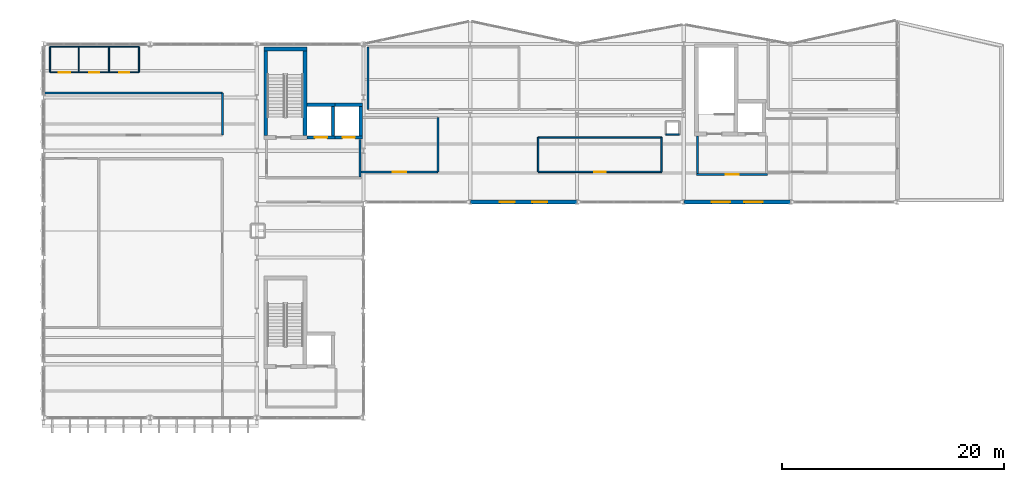
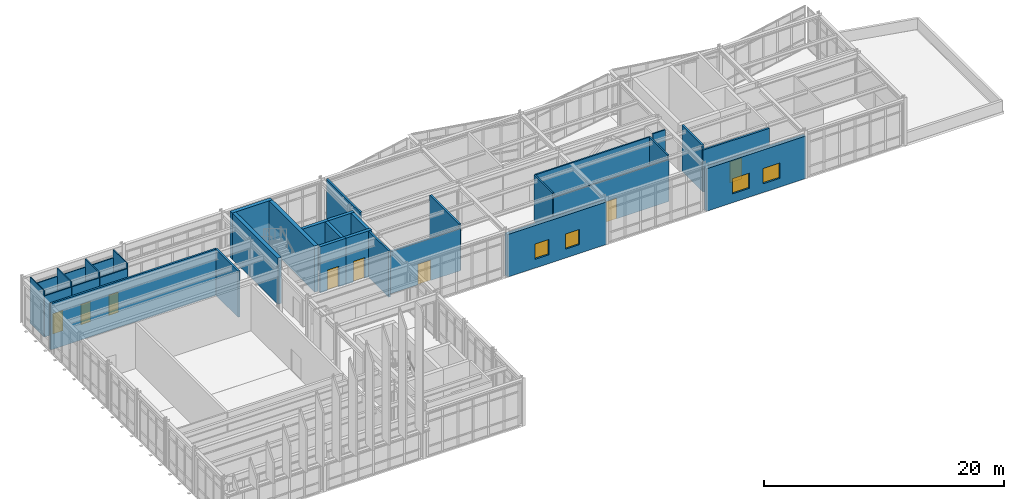
# One storey, part 23 of 28: 34 walls, 8 doors, 4 windows, 12 openings.
"""IFC4 building model written with IfcOpenShell, lengths in metres."""

from ifc_helpers import new_model, si_unit, direction, frame, frame_2d, origin, place, context, subcontext, project, spatial, rectangle, extrude, material, layer, layer_set, type_object, element, fill, save


model = new_model("IFC4")

# Units and contexts
model_context = context("Model", 3, precision=1e-05, world=origin(), true_north=direction((0.0, 1.0)))
body_context = subcontext(model_context, "Body", "Model", "MODEL_VIEW")
ifc_project = project(units=[si_unit("LENGTHUNIT", "METRE"), si_unit("AREAUNIT", "SQUARE_METRE"), si_unit("VOLUMEUNIT", "CUBIC_METRE"), si_unit("PLANEANGLEUNIT", "RADIAN"), si_unit("MASSUNIT", "GRAM", prefix="KILO")], contexts=[model_context])

# Site, building, storey
site_placement = place(None, origin())
site = spatial("IfcSite", under=ifc_project, at=site_placement, CompositionType="ELEMENT")
building_placement = place(site_placement, origin())
building = spatial("IfcBuilding", under=site, at=building_placement, Name="Nordkorset Police Headquarters", CompositionType="ELEMENT")
storey_placement = place(building_placement, frame((0.0, 0.0, 26.25)))
storey = spatial("IfcBuildingStorey", under=building, at=storey_placement, Name="L06", CompositionType="ELEMENT", Elevation=26.25)

# Wall, opening, door
ifc_material_1 = material(Name="Gypsum board", Category="gypsum")
ifc_layer_1 = layer(ifc_material_1, 0.139892578125, Name="Gypsum board")
ifc_layer_set_1 = layer_set([ifc_layer_1], Name="Gypsum board")
wall_type_1 = type_object("IfcWallType", Name="Wall_Acoust_140", PredefinedType="PARTITIONING", material=ifc_layer_set_1)
wall_1_placement = place(storey_placement, frame((44.5, 105.300048828125, 0.0), z_axis=(0.0, 0.0, 1.0), x_axis=(1.0, 0.0, 0.0)))
wall_1 = element("IfcWall", 1, at=wall_1_placement, inside=storey, type_object=wall_type_1, Name="Interior Partition Wall Metropolitan Incident Coordination Office", PredefinedType="PARTITIONING", context=body_context, shape_type="SweptSolid", body=[
    extrude(rectangle(XDim=11.10009765625, YDim=0.139892578125, at=frame_2d((5.550048828125, 0.0))), origin(), (0.0, 0.0, 1.0), 4.284912109375),
])
opening_1_placement = place(wall_1_placement, frame((5.0400390625, 0.0, 0.0)))
opening_1 = element("IfcOpeningElement", 2, at=opening_1_placement, cuts=wall_1, Name="Opening DR-19", PredefinedType="OPENING", context=body_context, shape_type="SweptSolid", body=[
    extrude(rectangle(XDim=1.02001953125, YDim=2.10009765625, at=frame_2d((0.510009765625, 1.050048828125))), frame((0.0, 0.080078125, 0.0), z_axis=(0.0, -1.0, 0.0), x_axis=(1.0, 0.0, 0.0)), (0.0, 0.0, 1.0), 0.159912109375),
])
ifc_material_2 = material(Name="Glulam GL30c", Category="wood")
door_type_1 = type_object("IfcDoorType", Name="Door_Office_1020x2100", OperationType="NOTDEFINED", PredefinedType="DOOR", material=ifc_material_2)
door_1_placement = place(opening_1_placement, origin())
door_1 = element("IfcDoor", 3, at=door_1_placement, inside=storey, type_object=door_type_1, Name="Interior Door Metropolitan Incident Coordination Office", OperationType="SINGLE_SWING_LEFT", OverallHeight=2.10009765625, OverallWidth=1.02001953125, PredefinedType="DOOR", context=body_context, shape_type="SweptSolid", body=[
    extrude(rectangle(XDim=1.02001953125, YDim=2.10009765625, at=frame_2d((0.510009765625, 1.050048828125))), frame((0.0, 0.02490234375, 0.0), z_axis=(0.0, -1.0, 0.0), x_axis=(1.0, 0.0, 0.0)), (0.0, 0.0, 1.0), 0.050048828125),
])
fill(opening_1, door_1)

# Walls
wall_2_placement = place(storey_placement, frame((55.60009765625, 105.300048828125, 0.0), z_axis=(0.0, 0.0, 1.0), x_axis=(0.0, 1.0, 0.0)))
element("IfcWall", 4, at=wall_2_placement, inside=storey, type_object=wall_type_1, Name="Interior Partition Wall Metropolitan Incident Coordination Office", PredefinedType="PARTITIONING", context=body_context, shape_type="SweptSolid", body=[
    extrude(rectangle(XDim=3.099853515625, YDim=0.139892578125, at=frame_2d((1.5498046875, 0.0))), origin(), (0.0, 0.0, 1.0), 4.7099609375),
])
wall_3_placement = place(storey_placement, frame((55.60009765625, 108.39990234375, 0.0), z_axis=(0.0, 0.0, 1.0), x_axis=(-1.0, 0.0, 0.0)))
element("IfcWall", 5, at=wall_3_placement, inside=storey, type_object=wall_type_1, Name="Interior Partition Wall Metropolitan Incident Coordination Office", PredefinedType="PARTITIONING", context=body_context, shape_type="SweptSolid", body=[
    extrude(rectangle(XDim=11.10009765625, YDim=0.139892578125, at=frame_2d((5.550048828125, 0.0))), origin(), (0.0, 0.0, 1.0), 4.7099609375),
])
wall_4_placement = place(storey_placement, frame((44.5, 108.39990234375, 0.0), z_axis=(0.0, 0.0, 1.0), x_axis=(0.0, -1.0, 0.0)))
element("IfcWall", 6, at=wall_4_placement, inside=storey, type_object=wall_type_1, Name="Interior Partition Wall Metropolitan Incident Coordination Office", PredefinedType="PARTITIONING", context=body_context, shape_type="SweptSolid", body=[
    extrude(rectangle(XDim=3.099853515625, YDim=0.139892578125, at=frame_2d((1.5498046875, 0.0))), origin(), (0.0, 0.0, 1.0), 4.7099609375),
])
ifc_material_3 = material(Name="Gypsum board", Category="gypsum")
ifc_layer_2 = layer(ifc_material_3, 0.179931640625, Name="Gypsum board")
ifc_layer_set_2 = layer_set([ifc_layer_2], Name="Gypsum board")
wall_type_2 = type_object("IfcWallType", Name="Wall_Comp_180", PredefinedType="PARTITIONING", material=ifc_layer_set_2)
wall_5_placement = place(storey_placement, frame((28.4599609375, 104.85009765625, 0.0), z_axis=(0.0, 0.0, 1.0), x_axis=(0.0, 1.0, 0.0)))
element("IfcWall", 7, at=wall_5_placement, inside=storey, type_object=wall_type_2, Name="Firefighting Lobby EI 60 Wall K1 L06 E", PredefinedType="PARTITIONING", context=body_context, shape_type="SweptSolid", body=[
    extrude(rectangle(XDim=3.375, YDim=0.179931640625, at=frame_2d((1.6875, 0.0))), origin(), (0.0, 0.0, 1.0), 4.7099609375),
])

# Wall, opening, door
wall_6_placement = place(storey_placement, frame((58.75, 105.06005859375, 0.0), z_axis=(0.0, 0.0, 1.0), x_axis=(1.0, 0.0, 0.0)))
wall_6 = element("IfcWall", 8, at=wall_6_placement, inside=storey, type_object=wall_type_2, Name="Firefighting Lobby EI 60 Wall K2 L06 S", PredefinedType="PARTITIONING", context=body_context, shape_type="SweptSolid", body=[
    extrude(rectangle(XDim=6.39990234375, YDim=0.179931640625, at=frame_2d((3.199951171875, 0.0))), origin(), (0.0, 0.0, 1.0), 4.284912109375),
])
opening_2_placement = place(wall_6_placement, frame((2.625, 0.0, 0.0)))
opening_2 = element("IfcOpeningElement", 9, at=opening_2_placement, cuts=wall_6, Name="Opening DR-01", PredefinedType="OPENING", context=body_context, shape_type="SweptSolid", body=[
    extrude(rectangle(XDim=1.14990234375, YDim=2.14990234375, at=frame_2d((0.574951171875, 1.074951171875))), frame((0.0, 0.10009765625, 0.0), z_axis=(0.0, -1.0, 0.0), x_axis=(1.0, 0.0, 0.0)), (0.0, 0.0, 1.0), 0.199951171875),
])
ifc_material_4 = material(Name="Steel S355J2", Category="steel")
door_type_2 = type_object("IfcDoorType", Name="Door_LobbySingle_1150x2150", OperationType="NOTDEFINED", PredefinedType="DOOR", material=ifc_material_4)
door_2_placement = place(opening_2_placement, frame((1.14990234375, 0.0, 0.0), z_axis=(0.0, 0.0, 1.0), x_axis=(-1.0, 0.0, 0.0)))
door_2 = element("IfcDoor", 10, at=door_2_placement, inside=storey, type_object=door_type_2, Name="Firefighting Lobby Smoke Door K2 L06 S", OperationType="SINGLE_SWING_LEFT", OverallHeight=2.14990234375, OverallWidth=1.14990234375, PredefinedType="DOOR", context=body_context, shape_type="SweptSolid", body=[
    extrude(rectangle(XDim=1.14990234375, YDim=2.14990234375, at=frame_2d((0.574951171875, 1.074951171875))), frame((0.0, 0.02490234375, 0.0), z_axis=(0.0, -1.0, 0.0), x_axis=(1.0, 0.0, 0.0)), (0.0, 0.0, 1.0), 0.050048828125),
])
fill(opening_2, door_2)

# Walls
wall_7_placement = place(storey_placement, frame((58.840087890625, 105.14990234375, 0.0), z_axis=(0.0, 0.0, 1.0), x_axis=(0.0, 1.0, 0.0)))
element("IfcWall", 11, at=wall_7_placement, inside=storey, type_object=wall_type_2, Name="Firefighting Lobby EI 60 Wall K2 L06 W", PredefinedType="PARTITIONING", context=body_context, shape_type="SweptSolid", body=[
    extrude(rectangle(XDim=3.375, YDim=0.179931640625, at=frame_2d((1.6875, 0.0))), origin(), (0.0, 0.0, 1.0), 4.7099609375),
])
wall_8_placement = place(storey_placement, frame((16.10009765625, 108.60009765625, 0.0), z_axis=(0.0, 0.0, 1.0), x_axis=(0.0, 1.0, 0.0)))
element("IfcWall", 12, at=wall_8_placement, inside=storey, type_object=wall_type_2, Name="Interior Partition Wall Command Supervisors Suite", PredefinedType="PARTITIONING", context=body_context, shape_type="SweptSolid", body=[
    extrude(rectangle(XDim=3.7998046875, YDim=0.179931640625, at=frame_2d((1.89990234375, 0.0))), origin(), (0.0, 0.0, 1.0), 4.7099609375),
])
wall_9_placement = place(storey_placement, frame((16.10009765625, 112.39990234375, 0.0), z_axis=(0.0, 0.0, 1.0), x_axis=(-1.0, 0.0, 0.0)))
element("IfcWall", 13, at=wall_9_placement, inside=storey, type_object=wall_type_2, Name="Interior Partition Wall Command Supervisors Suite", PredefinedType="PARTITIONING", context=body_context, shape_type="SweptSolid", body=[
    extrude(rectangle(XDim=16.01513671875, YDim=0.179931640625, at=frame_2d((8.007568359375, 0.0))), origin(), (0.0, 0.0, 1.0), 4.7099609375),
])
wall_10_placement = place(storey_placement, frame((29.199951171875, 116.550048828125, 0.0), z_axis=(0.0, 0.0, 1.0), x_axis=(0.0, -1.0, 0.0)))
element("IfcWall", 14, at=wall_10_placement, inside=storey, type_object=wall_type_2, Name="Interior Partition Wall Emergency 112 Call Dispatch Hall", PredefinedType="PARTITIONING", context=body_context, shape_type="SweptSolid", body=[
    extrude(rectangle(XDim=5.650146484375, YDim=0.179931640625, at=frame_2d((2.8251953125, 0.0))), origin(), (0.0, 0.0, 1.0), 4.7099609375),
])

# Wall, opening, door
wall_11_placement = place(storey_placement, frame((28.544921875, 105.300048828125, 0.0), z_axis=(0.0, 0.0, 1.0), x_axis=(1.0, 0.0, 0.0)))
wall_11 = element("IfcWall", 15, at=wall_11_placement, inside=storey, type_object=wall_type_2, Name="Interior Partition Wall Fire and Ambulance Joint Liaison Suite", PredefinedType="PARTITIONING", context=body_context, shape_type="SweptSolid", body=[
    extrude(rectangle(XDim=6.955078125, YDim=0.179931640625, at=frame_2d((3.4775390625, 0.0))), origin(), (0.0, 0.0, 1.0), 4.284912109375),
])
opening_3_placement = place(wall_11_placement, frame((2.867431640625, 0.0, 0.0)))
opening_3 = element("IfcOpeningElement", 16, at=opening_3_placement, cuts=wall_11, Name="Opening DR-13", PredefinedType="OPENING", context=body_context, shape_type="SweptSolid", body=[
    extrude(rectangle(XDim=1.219970703125, YDim=2.10009765625, at=frame_2d((0.60986328125, 1.050048828125))), frame((0.0, 0.10009765625, 0.0), z_axis=(0.0, -1.0, 0.0), x_axis=(1.0, 0.0, 0.0)), (0.0, 0.0, 1.0), 0.199951171875),
])
ifc_material_5 = material(Name="Steel S355J2", Category="steel")
door_type_3 = type_object("IfcDoorType", Name="Door_FireComp_1220x2100", OperationType="NOTDEFINED", PredefinedType="DOOR", material=ifc_material_5)
door_3_placement = place(opening_3_placement, origin())
door_3 = element("IfcDoor", 17, at=door_3_placement, inside=storey, type_object=door_type_3, Name="Interior Door Fire and Ambulance Joint Liaison Suite", OperationType="SINGLE_SWING_LEFT", OverallHeight=2.10009765625, OverallWidth=1.219970703125, PredefinedType="DOOR", context=body_context, shape_type="SweptSolid", body=[
    extrude(rectangle(XDim=1.219970703125, YDim=2.10009765625, at=frame_2d((0.60986328125, 1.050048828125))), frame((0.0, 0.02490234375, 0.0), z_axis=(0.0, -1.0, 0.0), x_axis=(1.0, 0.0, 0.0)), (0.0, 0.0, 1.0), 0.050048828125),
])
fill(opening_3, door_3)

# Walls
wall_12_placement = place(storey_placement, frame((35.5, 105.300048828125, 0.0), z_axis=(0.0, 0.0, 1.0), x_axis=(0.0, 1.0, 0.0)))
element("IfcWall", 18, at=wall_12_placement, inside=storey, type_object=wall_type_2, Name="Interior Partition Wall Fire and Ambulance Joint Liaison Suite", PredefinedType="PARTITIONING", context=body_context, shape_type="SweptSolid", body=[
    extrude(rectangle(XDim=4.89990234375, YDim=0.179931640625, at=frame_2d((2.449951171875, 0.0))), origin(), (0.0, 0.0, 1.0), 4.7099609375),
])
ifc_material_6 = material(Name="Concrete C35/45", Category="concrete")
ifc_layer_3 = layer(ifc_material_6, 0.35009765625, Name="Concrete C35/45")
ifc_layer_set_3 = layer_set([ifc_layer_3], Name="Concrete C35/45")
wall_type_3 = type_object("IfcWallType", Name="Wall_CoreShear_350", PredefinedType="SHEAR", material=ifc_layer_set_3)
wall_13_placement = place(storey_placement, frame((19.824951171875, 116.35009765625, 0.0), z_axis=(0.0, 0.0, 1.0), x_axis=(1.0, 0.0, 0.0)))
element("IfcWall", 19, at=wall_13_placement, inside=storey, type_object=wall_type_3, Name="Core K1 Stair Shaft North Shear Wall L06", PredefinedType="SHEAR", context=body_context, shape_type="SweptSolid", body=[
    extrude(rectangle(XDim=3.900146484375, YDim=0.35009765625, at=frame_2d((1.9501953125, 0.0))), origin(), (0.0, 0.0, 1.0), 4.7099609375),
])
for number, where, z_axis, x_axis, name in (
    (20, (20.0, 108.574951171875, 0.0), (0.0, 0.0, 1.0), (0.0, 1.0, 0.0), "Core K1 Stair Shaft West Shear Wall L06"),
    (21, (23.550048828125, 108.574951171875, 0.0), (0.0, 0.0, 1.0), (0.0, 1.0, 0.0), "Core K1 Stair Shaft East Shear Wall L06"),
):
    element("IfcWall", number, at=place(storey_placement, frame(where, z_axis=z_axis, x_axis=x_axis)), inside=storey, type_object=wall_type_3, Name=name, PredefinedType="SHEAR", context=body_context, shape_type="SweptSolid", body=[
        extrude(rectangle(XDim=7.60009765625, YDim=0.35009765625, at=frame_2d((3.800048828125, 0.0))), origin(), (0.0, 0.0, 1.0), 4.7099609375),
    ])

# Wall, openings, windows
ifc_material_7 = material(Name="Precast concrete C40/50", Category="concrete")
ifc_layer_4 = layer(ifc_material_7, 0.360107421875, Name="Precast concrete C40/50")
ifc_layer_set_4 = layer_set([ifc_layer_4], Name="Precast concrete C40/50")
wall_type_4 = type_object("IfcWallType", Name="Wall_ExtPrecast_360", PredefinedType="SOLIDWALL", material=ifc_layer_set_4)
wall_14_placement = place(storey_placement, frame((38.40869140625, 102.60009765625, 0.0), z_axis=(0.0, 0.0, 1.0), x_axis=(1.0, 0.0, 0.0)))
wall_14 = element("IfcWall", 22, at=wall_14_placement, inside=storey, type_object=wall_type_4, Name="Exterior Insulated Precast Wall L06 V2S-1", PredefinedType="SOLIDWALL", context=body_context, shape_type="SweptSolid", body=[
    extrude(rectangle(XDim=9.58251953125, YDim=0.360107421875, at=frame_2d((4.791259765625, 0.0))), origin(), (0.0, 0.0, 1.0), 4.3349609375),
])
opening_4_placement = place(wall_14_placement, frame((2.649658203125, 0.0, 0.89990234375)))
opening_4 = element("IfcOpeningElement", 23, at=opening_4_placement, cuts=wall_14, Name="Opening WN-22", PredefinedType="OPENING", context=body_context, shape_type="SweptSolid", body=[
    extrude(rectangle(XDim=1.35009765625, YDim=1.550048828125, at=frame_2d((0.675048828125, 0.77490234375))), frame((0.0, 0.18994140625, 0.0), z_axis=(0.0, -1.0, 0.0), x_axis=(1.0, 0.0, 0.0)), (0.0, 0.0, 1.0), 0.380126953125),
])
opening_5_placement = place(wall_14_placement, frame((5.5830078125, 0.0, 0.89990234375)))
opening_5 = element("IfcOpeningElement", 24, at=opening_5_placement, cuts=wall_14, Name="Opening WN-22", PredefinedType="OPENING", context=body_context, shape_type="SweptSolid", body=[
    extrude(rectangle(XDim=1.35009765625, YDim=1.550048828125, at=frame_2d((0.675048828125, 0.77490234375))), frame((0.0, 0.18994140625, 0.0), z_axis=(0.0, -1.0, 0.0), x_axis=(1.0, 0.0, 0.0)), (0.0, 0.0, 1.0), 0.380126953125),
])
ifc_material_8 = material(Name="Low-iron triple glazing", Category="glass")
window_type_1 = type_object("IfcWindowType", Name="Win_1350x1550", PartitioningType="SINGLE_PANEL", PredefinedType="WINDOW", material=ifc_material_8)
window_1_placement = place(opening_4_placement, origin())
window_1 = element("IfcWindow", 25, at=window_1_placement, inside=storey, type_object=window_type_1, Name="Triple-Glazed Exterior Window L06 V2S-1-1", OverallHeight=1.550048828125, OverallWidth=1.35009765625, PartitioningType="SINGLE_PANEL", PredefinedType="WINDOW", context=body_context, shape_type="SweptSolid", body=[
    extrude(rectangle(XDim=1.35009765625, YDim=1.550048828125, at=frame_2d((0.675048828125, 0.77490234375))), frame((0.0, 0.030029296875, 0.0), z_axis=(0.0, -1.0, 0.0), x_axis=(1.0, 0.0, 0.0)), (0.0, 0.0, 1.0), 0.06005859375),
])
fill(opening_4, window_1)
window_2_placement = place(opening_5_placement, origin())
window_2 = element("IfcWindow", 26, at=window_2_placement, inside=storey, type_object=window_type_1, Name="Triple-Glazed Exterior Window L06 V2S-1-2", OverallHeight=1.550048828125, OverallWidth=1.35009765625, PartitioningType="SINGLE_PANEL", PredefinedType="WINDOW", context=body_context, shape_type="SweptSolid", body=[
    extrude(rectangle(XDim=1.35009765625, YDim=1.550048828125, at=frame_2d((0.675048828125, 0.77490234375))), frame((0.0, 0.030029296875, 0.0), z_axis=(0.0, -1.0, 0.0), x_axis=(1.0, 0.0, 0.0)), (0.0, 0.0, 1.0), 0.06005859375),
])
fill(opening_5, window_2)

wall_15_placement = place(storey_placement, frame((57.608642578125, 102.60009765625, 0.0), z_axis=(0.0, 0.0, 1.0), x_axis=(1.0, 0.0, 0.0)))
wall_15 = element("IfcWall", 27, at=wall_15_placement, inside=storey, type_object=wall_type_4, Name="Exterior Insulated Precast Wall L06 V2S-3", PredefinedType="SOLIDWALL", context=body_context, shape_type="SweptSolid", body=[
    extrude(rectangle(XDim=9.58251953125, YDim=0.360107421875, at=frame_2d((4.791259765625, 0.0))), origin(), (0.0, 0.0, 1.0), 4.3349609375),
])
opening_6_placement = place(wall_15_placement, frame((2.49951171875, 0.0, 0.89990234375)))
opening_6 = element("IfcOpeningElement", 28, at=opening_6_placement, cuts=wall_15, Name="Opening WN-43", PredefinedType="OPENING", context=body_context, shape_type="SweptSolid", body=[
    extrude(rectangle(XDim=1.64990234375, YDim=1.550048828125, at=frame_2d((0.824951171875, 0.77490234375))), frame((0.0, 0.18994140625, 0.0), z_axis=(0.0, -1.0, 0.0), x_axis=(1.0, 0.0, 0.0)), (0.0, 0.0, 1.0), 0.380126953125),
])
opening_7_placement = place(wall_15_placement, frame((5.43310546875, 0.0, 0.89990234375)))
opening_7 = element("IfcOpeningElement", 29, at=opening_7_placement, cuts=wall_15, Name="Opening WN-43", PredefinedType="OPENING", context=body_context, shape_type="SweptSolid", body=[
    extrude(rectangle(XDim=1.64990234375, YDim=1.550048828125, at=frame_2d((0.824951171875, 0.77490234375))), frame((0.0, 0.18994140625, 0.0), z_axis=(0.0, -1.0, 0.0), x_axis=(1.0, 0.0, 0.0)), (0.0, 0.0, 1.0), 0.380126953125),
])
ifc_material_9 = material(Name="Low-iron triple glazing", Category="glass")
window_type_2 = type_object("IfcWindowType", Name="Win_1650x1550", PartitioningType="SINGLE_PANEL", PredefinedType="WINDOW", material=ifc_material_9)
window_3_placement = place(opening_6_placement, origin())
window_3 = element("IfcWindow", 30, at=window_3_placement, inside=storey, type_object=window_type_2, Name="Triple-Glazed Exterior Window L06 V2S-3-1", OverallHeight=1.550048828125, OverallWidth=1.64990234375, PartitioningType="SINGLE_PANEL", PredefinedType="WINDOW", context=body_context, shape_type="SweptSolid", body=[
    extrude(rectangle(XDim=1.64990234375, YDim=1.550048828125, at=frame_2d((0.824951171875, 0.77490234375))), frame((0.0, 0.030029296875, 0.0), z_axis=(0.0, -1.0, 0.0), x_axis=(1.0, 0.0, 0.0)), (0.0, 0.0, 1.0), 0.06005859375),
])
fill(opening_6, window_3)
window_4_placement = place(opening_7_placement, origin())
window_4 = element("IfcWindow", 31, at=window_4_placement, inside=storey, type_object=window_type_2, Name="Triple-Glazed Exterior Window L06 V2S-3-2", OverallHeight=1.550048828125, OverallWidth=1.64990234375, PartitioningType="SINGLE_PANEL", PredefinedType="WINDOW", context=body_context, shape_type="SweptSolid", body=[
    extrude(rectangle(XDim=1.64990234375, YDim=1.550048828125, at=frame_2d((0.824951171875, 0.77490234375))), frame((0.0, 0.030029296875, 0.0), z_axis=(0.0, -1.0, 0.0), x_axis=(1.0, 0.0, 0.0)), (0.0, 0.0, 1.0), 0.06005859375),
])
fill(opening_7, window_4)

# Wall, opening, door
ifc_material_10 = material(Name="Gypsum board", Category="gypsum")
ifc_layer_5 = layer(ifc_material_10, 0.10009765625, Name="Gypsum board")
ifc_layer_set_5 = layer_set([ifc_layer_5], Name="Gypsum board")
wall_type_5 = type_object("IfcWallType", Name="Wall_Part_100", PredefinedType="PARTITIONING", material=ifc_layer_set_5)
wall_16_placement = place(storey_placement, frame((0.60009765625, 114.25, 0.0), z_axis=(0.0, 0.0, 1.0), x_axis=(1.0, 0.0, 0.0)))
wall_16 = element("IfcWall", 32, at=wall_16_placement, inside=storey, type_object=wall_type_5, Name="Interior Partition Wall Accessible WC L06W", PredefinedType="PARTITIONING", context=body_context, shape_type="SweptSolid", body=[
    extrude(rectangle(XDim=2.599853515625, YDim=0.10009765625, at=frame_2d((1.2998046875, 0.0))), origin(), (0.0, 0.0, 1.0), 4.18994140625),
])
opening_8_placement = place(wall_16_placement, frame((0.800048828125, 0.0, 0.0)))
opening_8 = element("IfcOpeningElement", 33, at=opening_8_placement, cuts=wall_16, Name="Opening DR-23", PredefinedType="OPENING", context=body_context, shape_type="SweptSolid", body=[
    extrude(rectangle(XDim=1.0, YDim=2.080078125, at=frame_2d((0.5, 1.0400390625))), frame((0.0, 0.06005859375, 0.0), z_axis=(0.0, -1.0, 0.0), x_axis=(1.0, 0.0, 0.0)), (0.0, 0.0, 1.0), 0.1201171875),
])
ifc_material_11 = material(Name="Glulam GL30c", Category="wood")
door_type_4 = type_object("IfcDoorType", Name="Door_WCAccess_1000x2080", OperationType="NOTDEFINED", PredefinedType="DOOR", material=ifc_material_11)
door_4_placement = place(opening_8_placement, frame((1.0, 0.0, 0.0), z_axis=(0.0, 0.0, 1.0), x_axis=(-1.0, 0.0, 0.0)))
door_4 = element("IfcDoor", 34, at=door_4_placement, inside=storey, type_object=door_type_4, Name="Interior Door Accessible WC L06W", OperationType="SINGLE_SWING_LEFT", OverallHeight=2.080078125, OverallWidth=1.0, PredefinedType="DOOR", context=body_context, shape_type="SweptSolid", body=[
    extrude(rectangle(XDim=1.0, YDim=2.080078125, at=frame_2d((0.5, 1.0400390625))), frame((0.0, 0.02490234375, 0.0), z_axis=(0.0, -1.0, 0.0), x_axis=(1.0, 0.0, 0.0)), (0.0, 0.0, 1.0), 0.050048828125),
])
fill(opening_8, door_4)

# Walls
wall_17_placement = place(storey_placement, frame((3.199951171875, 114.25, 0.0), z_axis=(0.0, 0.0, 1.0), x_axis=(0.0, 1.0, 0.0)))
element("IfcWall", 35, at=wall_17_placement, inside=storey, type_object=wall_type_5, Name="Interior Partition Wall Accessible WC L06W", PredefinedType="PARTITIONING", context=body_context, shape_type="SweptSolid", body=[
    extrude(rectangle(XDim=2.300048828125, YDim=0.10009765625, at=frame_2d((1.14990234375, 0.0))), origin(), (0.0, 0.0, 1.0), 4.7099609375),
])
wall_18_placement = place(storey_placement, frame((3.199951171875, 116.550048828125, 0.0), z_axis=(0.0, 0.0, 1.0), x_axis=(-1.0, 0.0, 0.0)))
element("IfcWall", 36, at=wall_18_placement, inside=storey, type_object=wall_type_5, Name="Interior Partition Wall Accessible WC L06W", PredefinedType="PARTITIONING", context=body_context, shape_type="SweptSolid", body=[
    extrude(rectangle(XDim=2.599853515625, YDim=0.10009765625, at=frame_2d((1.2998046875, 0.0))), origin(), (0.0, 0.0, 1.0), 3.889892578125),
])
wall_19_placement = place(storey_placement, frame((0.60009765625, 116.550048828125, 0.0), z_axis=(0.0, 0.0, 1.0), x_axis=(0.0, -1.0, 0.0)))
element("IfcWall", 37, at=wall_19_placement, inside=storey, type_object=wall_type_5, Name="Interior Partition Wall Accessible WC L06W", PredefinedType="PARTITIONING", context=body_context, shape_type="SweptSolid", body=[
    extrude(rectangle(XDim=2.300048828125, YDim=0.10009765625, at=frame_2d((1.14990234375, 0.0))), origin(), (0.0, 0.0, 1.0), 4.7099609375),
])

# Wall, opening, door
wall_20_placement = place(storey_placement, frame((3.2451171875, 114.25, 0.0), z_axis=(0.0, 0.0, 1.0), x_axis=(1.0, 0.0, 0.0)))
wall_20 = element("IfcWall", 38, at=wall_20_placement, inside=storey, type_object=wall_type_5, Name="Interior Partition Wall Staff Female WC L06W", PredefinedType="PARTITIONING", context=body_context, shape_type="SweptSolid", body=[
    extrude(rectangle(XDim=2.65478515625, YDim=0.10009765625, at=frame_2d((1.327392578125, 0.0))), origin(), (0.0, 0.0, 1.0), 4.18994140625),
])
opening_9_placement = place(wall_20_placement, frame((0.867431640625, 0.0, 0.0)))
opening_9 = element("IfcOpeningElement", 39, at=opening_9_placement, cuts=wall_20, Name="Opening DR-21", PredefinedType="OPENING", context=body_context, shape_type="SweptSolid", body=[
    extrude(rectangle(XDim=0.919921875, YDim=2.080078125, at=frame_2d((0.4599609375, 1.0400390625))), frame((0.0, 0.06005859375, 0.0), z_axis=(0.0, -1.0, 0.0), x_axis=(1.0, 0.0, 0.0)), (0.0, 0.0, 1.0), 0.1201171875),
])
ifc_material_12 = material(Name="Glulam GL30c", Category="wood")
door_type_5 = type_object("IfcDoorType", Name="Door_WCStaff_920x2080", OperationType="NOTDEFINED", PredefinedType="DOOR", material=ifc_material_12)
door_5_placement = place(opening_9_placement, origin())
door_5 = element("IfcDoor", 40, at=door_5_placement, inside=storey, type_object=door_type_5, Name="Interior Door Staff Female WC L06W", OperationType="SINGLE_SWING_RIGHT", OverallHeight=2.080078125, OverallWidth=0.919921875, PredefinedType="DOOR", context=body_context, shape_type="SweptSolid", body=[
    extrude(rectangle(XDim=0.919921875, YDim=2.080078125, at=frame_2d((0.4599609375, 1.0400390625))), frame((0.0, 0.02490234375, 0.0), z_axis=(0.0, -1.0, 0.0), x_axis=(1.0, 0.0, 0.0)), (0.0, 0.0, 1.0), 0.050048828125),
])
fill(opening_9, door_5)

# Walls
wall_21_placement = place(storey_placement, frame((5.89990234375, 114.25, 0.0), z_axis=(0.0, 0.0, 1.0), x_axis=(0.0, 1.0, 0.0)))
element("IfcWall", 41, at=wall_21_placement, inside=storey, type_object=wall_type_5, Name="Interior Partition Wall Staff Female WC L06W", PredefinedType="PARTITIONING", context=body_context, shape_type="SweptSolid", body=[
    extrude(rectangle(XDim=2.300048828125, YDim=0.10009765625, at=frame_2d((1.14990234375, 0.0))), origin(), (0.0, 0.0, 1.0), 4.7099609375),
])
wall_22_placement = place(storey_placement, frame((5.89990234375, 116.550048828125, 0.0), z_axis=(0.0, 0.0, 1.0), x_axis=(-1.0, 0.0, 0.0)))
element("IfcWall", 42, at=wall_22_placement, inside=storey, type_object=wall_type_5, Name="Interior Partition Wall Staff Female WC L06W", PredefinedType="PARTITIONING", context=body_context, shape_type="SweptSolid", body=[
    extrude(rectangle(XDim=2.65478515625, YDim=0.10009765625, at=frame_2d((1.327392578125, 0.0))), origin(), (0.0, 0.0, 1.0), 3.889892578125),
])

# Wall, opening, door
wall_23_placement = place(storey_placement, frame((5.945068359375, 114.25, 0.0), z_axis=(0.0, 0.0, 1.0), x_axis=(1.0, 0.0, 0.0)))
wall_23 = element("IfcWall", 43, at=wall_23_placement, inside=storey, type_object=wall_type_5, Name="Interior Partition Wall Staff Male WC L06W", PredefinedType="PARTITIONING", context=body_context, shape_type="SweptSolid", body=[
    extrude(rectangle(XDim=2.655029296875, YDim=0.10009765625, at=frame_2d((1.32763671875, 0.0))), origin(), (0.0, 0.0, 1.0), 4.18994140625),
])
opening_10_placement = place(wall_23_placement, frame((0.867431640625, 0.0, 0.0)))
opening_10 = element("IfcOpeningElement", 44, at=opening_10_placement, cuts=wall_23, Name="Opening DR-21", PredefinedType="OPENING", context=body_context, shape_type="SweptSolid", body=[
    extrude(rectangle(XDim=0.919921875, YDim=2.080078125, at=frame_2d((0.4599609375, 1.0400390625))), frame((0.0, 0.06005859375, 0.0), z_axis=(0.0, -1.0, 0.0), x_axis=(1.0, 0.0, 0.0)), (0.0, 0.0, 1.0), 0.1201171875),
])
door_6_placement = place(opening_10_placement, frame((0.919921875, 0.0, 0.0), z_axis=(0.0, 0.0, 1.0), x_axis=(-1.0, 0.0, 0.0)))
door_6 = element("IfcDoor", 45, at=door_6_placement, inside=storey, type_object=door_type_5, Name="Interior Door Staff Male WC L06W", OperationType="SINGLE_SWING_LEFT", OverallHeight=2.080078125, OverallWidth=0.919921875, PredefinedType="DOOR", context=body_context, shape_type="SweptSolid", body=[
    extrude(rectangle(XDim=0.919921875, YDim=2.080078125, at=frame_2d((0.4599609375, 1.0400390625))), frame((0.0, 0.02490234375, 0.0), z_axis=(0.0, -1.0, 0.0), x_axis=(1.0, 0.0, 0.0)), (0.0, 0.0, 1.0), 0.050048828125),
])
fill(opening_10, door_6)

# Walls
wall_24_placement = place(storey_placement, frame((8.60009765625, 114.25, 0.0), z_axis=(0.0, 0.0, 1.0), x_axis=(0.0, 1.0, 0.0)))
element("IfcWall", 46, at=wall_24_placement, inside=storey, type_object=wall_type_5, Name="Interior Partition Wall Staff Male WC L06W", PredefinedType="PARTITIONING", context=body_context, shape_type="SweptSolid", body=[
    extrude(rectangle(XDim=2.300048828125, YDim=0.10009765625, at=frame_2d((1.14990234375, 0.0))), origin(), (0.0, 0.0, 1.0), 4.7099609375),
])
wall_25_placement = place(storey_placement, frame((8.60009765625, 116.550048828125, 0.0), z_axis=(0.0, 0.0, 1.0), x_axis=(-1.0, 0.0, 0.0)))
element("IfcWall", 47, at=wall_25_placement, inside=storey, type_object=wall_type_5, Name="Interior Partition Wall Staff Male WC L06W", PredefinedType="PARTITIONING", context=body_context, shape_type="SweptSolid", body=[
    extrude(rectangle(XDim=2.655029296875, YDim=0.10009765625, at=frame_2d((1.32763671875, 0.0))), origin(), (0.0, 0.0, 1.0), 3.889892578125),
])
ifc_material_13 = material(Name="Gypsum board", Category="gypsum")
ifc_layer_6 = layer(ifc_material_13, 0.125, Name="Gypsum board")
ifc_layer_set_6 = layer_set([ifc_layer_6], Name="Gypsum board")
wall_type_6 = type_object("IfcWallType", Name="Wall_Riser_125", PredefinedType="PARTITIONING", material=ifc_layer_set_6)
wall_26_placement = place(storey_placement, frame((56.0, 108.64990234375, 0.0), z_axis=(0.0, 0.0, 1.0), x_axis=(1.0, 0.0, 0.0)))
element("IfcWall", 48, at=wall_26_placement, inside=storey, type_object=wall_type_6, Name="Service Riser Enclosure RSR-V2 L06", PredefinedType="PARTITIONING", context=body_context, shape_type="SweptSolid", body=[
    extrude(rectangle(XDim=1.199951171875, YDim=0.125, at=frame_2d((0.60009765625, 0.0))), origin(), (0.0, 0.0, 1.0), 4.7099609375),
])

# Wall, opening, door
ifc_material_14 = material(Name="Concrete C35/45", Category="concrete")
ifc_layer_7 = layer(ifc_material_14, 0.300048828125, Name="Concrete C35/45")
ifc_layer_set_7 = layer_set([ifc_layer_7], Name="Concrete C35/45")
wall_type_7 = type_object("IfcWallType", Name="Wall_ShaftShear_300", PredefinedType="SHEAR", material=ifc_layer_set_7)
wall_27_placement = place(storey_placement, frame((23.72509765625, 108.39990234375, 0.0), z_axis=(0.0, 0.0, 1.0), x_axis=(1.0, 0.0, 0.0)))
wall_27 = element("IfcWall", 49, at=wall_27_placement, inside=storey, type_object=wall_type_7, Name="Lift Shaft LF-01 Front Shear Wall L06", PredefinedType="SHEAR", context=body_context, shape_type="SweptSolid", body=[
    extrude(rectangle(XDim=2.5, YDim=0.300048828125, at=frame_2d((1.25, 0.0))), origin(), (0.0, 0.0, 1.0), 4.7099609375),
])
opening_11_placement = place(wall_27_placement, frame((0.699951171875, 0.0, 0.0)))
opening_11 = element("IfcOpeningElement", 50, at=opening_11_placement, cuts=wall_27, Name="Opening LD-01", PredefinedType="OPENING", context=body_context, shape_type="SweptSolid", body=[
    extrude(rectangle(XDim=1.10009765625, YDim=2.10009765625, at=frame_2d((0.550048828125, 1.050048828125))), frame((0.0, 0.16015625, 0.0), z_axis=(0.0, -1.0, 0.0), x_axis=(1.0, 0.0, 0.0)), (0.0, 0.0, 1.0), 0.320068359375),
])
ifc_material_15 = material(Name="Steel S355J2", Category="steel")
door_type_6 = type_object("IfcDoorType", Name="Door_LiftLanding_1100x2100", OperationType="SLIDING_TO_LEFT", PredefinedType="DOOR", material=ifc_material_15)
door_7_placement = place(opening_11_placement, frame((1.10009765625, 0.0, 0.0), z_axis=(0.0, 0.0, 1.0), x_axis=(-1.0, 0.0, 0.0)))
door_7 = element("IfcDoor", 51, at=door_7_placement, inside=storey, type_object=door_type_6, Name="Lift Landing Sliding Door LF-01 L06", OperationType="SLIDING_TO_LEFT", OverallHeight=2.10009765625, OverallWidth=1.10009765625, PredefinedType="DOOR", context=body_context, shape_type="SweptSolid", body=[
    extrude(rectangle(XDim=1.10009765625, YDim=2.10009765625, at=frame_2d((0.550048828125, 1.050048828125))), frame((0.0, 0.02490234375, 0.0), z_axis=(0.0, -1.0, 0.0), x_axis=(1.0, 0.0, 0.0)), (0.0, 0.0, 1.0), 0.050048828125),
])
fill(opening_11, door_7)

# Walls
wall_28_placement = place(storey_placement, frame((23.72509765625, 111.35009765625, 0.0), z_axis=(0.0, 0.0, 1.0), x_axis=(1.0, 0.0, 0.0)))
element("IfcWall", 52, at=wall_28_placement, inside=storey, type_object=wall_type_7, Name="Lift Shaft LF-01 Rear Shear Wall L06", PredefinedType="SHEAR", context=body_context, shape_type="SweptSolid", body=[
    extrude(rectangle(XDim=2.5, YDim=0.300048828125, at=frame_2d((1.25, 0.0))), origin(), (0.0, 0.0, 1.0), 4.7099609375),
])
wall_29_placement = place(storey_placement, frame((26.050048828125, 108.550048828125, 0.0), z_axis=(0.0, 0.0, 1.0), x_axis=(0.0, 1.0, 0.0)))
element("IfcWall", 53, at=wall_29_placement, inside=storey, type_object=wall_type_7, Name="Lift Shaft LF-01 East Shear Wall L06", PredefinedType="SHEAR", context=body_context, shape_type="SweptSolid", body=[
    extrude(rectangle(XDim=2.64990234375, YDim=0.300048828125, at=frame_2d((1.324951171875, 0.0))), origin(), (0.0, 0.0, 1.0), 4.7099609375),
])

# Wall, opening, door
wall_30_placement = place(storey_placement, frame((26.22509765625, 108.39990234375, 0.0), z_axis=(0.0, 0.0, 1.0), x_axis=(1.0, 0.0, 0.0)))
wall_30 = element("IfcWall", 54, at=wall_30_placement, inside=storey, type_object=wall_type_7, Name="Lift Shaft LF-02 Front Shear Wall L06", PredefinedType="SHEAR", context=body_context, shape_type="SweptSolid", body=[
    extrude(rectangle(XDim=2.5, YDim=0.300048828125, at=frame_2d((1.25, 0.0))), origin(), (0.0, 0.0, 1.0), 4.7099609375),
])
opening_12_placement = place(wall_30_placement, frame((0.699951171875, 0.0, 0.0)))
opening_12 = element("IfcOpeningElement", 55, at=opening_12_placement, cuts=wall_30, Name="Opening LD-02", PredefinedType="OPENING", context=body_context, shape_type="SweptSolid", body=[
    extrude(rectangle(XDim=1.10009765625, YDim=2.10009765625, at=frame_2d((0.550048828125, 1.050048828125))), frame((0.0, 0.16015625, 0.0), z_axis=(0.0, -1.0, 0.0), x_axis=(1.0, 0.0, 0.0)), (0.0, 0.0, 1.0), 0.320068359375),
])
door_8_placement = place(opening_12_placement, frame((1.10009765625, 0.0, 0.0), z_axis=(0.0, 0.0, 1.0), x_axis=(-1.0, 0.0, 0.0)))
door_8 = element("IfcDoor", 56, at=door_8_placement, inside=storey, type_object=door_type_6, Name="Lift Landing Sliding Door LF-02 L06", OperationType="SLIDING_TO_LEFT", OverallHeight=2.10009765625, OverallWidth=1.10009765625, PredefinedType="DOOR", context=body_context, shape_type="SweptSolid", body=[
    extrude(rectangle(XDim=1.10009765625, YDim=2.10009765625, at=frame_2d((0.550048828125, 1.050048828125))), frame((0.0, 0.02490234375, 0.0), z_axis=(0.0, -1.0, 0.0), x_axis=(1.0, 0.0, 0.0)), (0.0, 0.0, 1.0), 0.050048828125),
])
fill(opening_12, door_8)

# Walls
wall_31_placement = place(storey_placement, frame((26.22509765625, 111.35009765625, 0.0), z_axis=(0.0, 0.0, 1.0), x_axis=(1.0, 0.0, 0.0)))
element("IfcWall", 57, at=wall_31_placement, inside=storey, type_object=wall_type_7, Name="Lift Shaft LF-02 Rear Shear Wall L06", PredefinedType="SHEAR", context=body_context, shape_type="SweptSolid", body=[
    extrude(rectangle(XDim=2.5, YDim=0.300048828125, at=frame_2d((1.25, 0.0))), origin(), (0.0, 0.0, 1.0), 4.7099609375),
])
wall_32_placement = place(storey_placement, frame((28.550048828125, 108.550048828125, 0.0), z_axis=(0.0, 0.0, 1.0), x_axis=(0.0, 1.0, 0.0)))
element("IfcWall", 58, at=wall_32_placement, inside=storey, type_object=wall_type_7, Name="Lift Shaft LF-02 East Shear Wall L06", PredefinedType="SHEAR", context=body_context, shape_type="SweptSolid", body=[
    extrude(rectangle(XDim=2.64990234375, YDim=0.300048828125, at=frame_2d((1.324951171875, 0.0))), origin(), (0.0, 0.0, 1.0), 4.7099609375),
])

save(model, "model.ifc")
